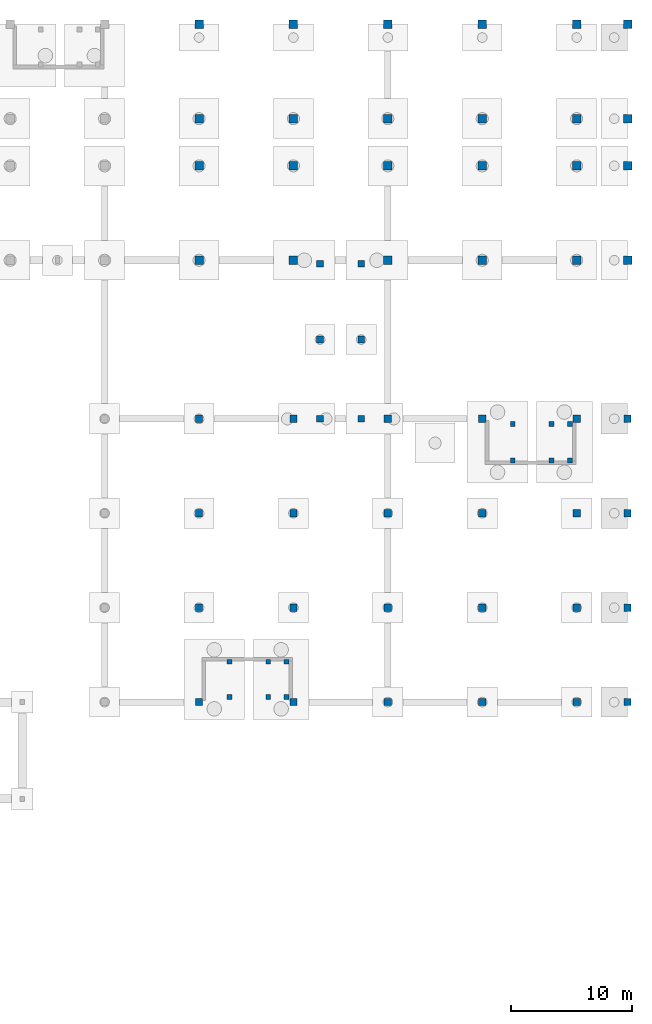
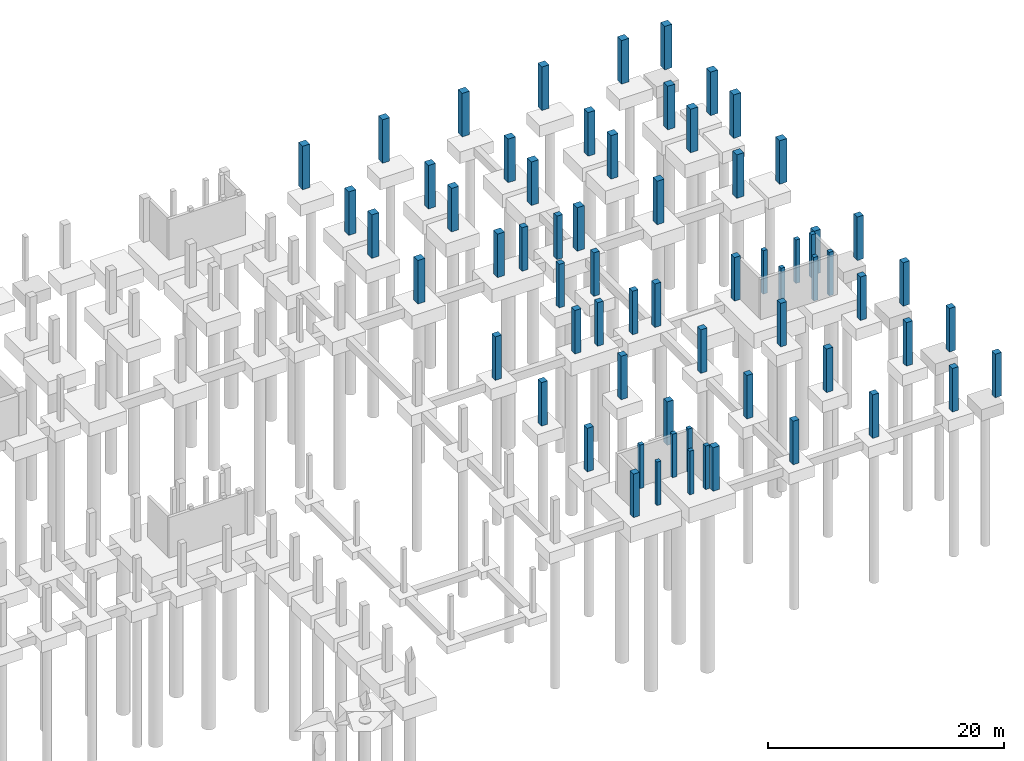
# One storey, part 8 of 24: 66 columns.
"""IFC4 building model written with IfcOpenShell, lengths in metres."""

from ifc_helpers import new_model, si_unit, direction, frame, origin, origin_2d, place, context, subcontext, project, spatial, rectangle, extrude, material, material_profile, profile_set, type_object, element, save


model = new_model("IFC4")

# Units and contexts
model_context = context("Model", 3, precision=1e-05, world=origin(), true_north=direction((0.0, 1.0)))
body_context = subcontext(model_context, "Body", "Model", "MODEL_VIEW")
ifc_project = project(units=[si_unit("LENGTHUNIT", "METRE"), si_unit("AREAUNIT", "SQUARE_METRE"), si_unit("VOLUMEUNIT", "CUBIC_METRE"), si_unit("PLANEANGLEUNIT", "RADIAN"), si_unit("MASSUNIT", "GRAM", prefix="KILO")], contexts=[model_context])

# Site, building, storey
site_placement = place(None, origin())
site = spatial("IfcSite", under=ifc_project, at=site_placement, CompositionType="ELEMENT")
building_placement = place(site_placement, origin())
building = spatial("IfcBuilding", under=site, at=building_placement, Name="Celorna Specialist Clinic", CompositionType="ELEMENT")
storey_placement = place(building_placement, frame((0.0, 0.0, -4.5)))
storey = spatial("IfcBuildingStorey", under=building, at=storey_placement, Name="B01", CompositionType="ELEMENT", Elevation=-4.5)

# Columns
ifc_material_1 = material(Name="Concrete C40/50", Category="concrete")
ifc_material_profile_1 = material_profile(ifc_material_1, rectangle(XDim=0.699951171875, YDim=0.699951171875, at=origin_2d()), Name="RC 700x700")
ifc_profile_set_1 = profile_set([ifc_material_profile_1], Name="Concrete C40/50")
column_type_1 = type_object("IfcColumnType", Name="CT-02", PredefinedType="COLUMN", material=ifc_profile_set_1)
for number, where, z_axis, x_axis, name in (
    (1, (132.60009765625, 96.5, 0.0), (0.0, 0.0, 1.0), (1.0, 0.0, 0.0), "Column CT-02 B01 X18/YR"),
    (2, (132.60009765625, 104.300048828125, 0.0), (0.0, 0.0, 1.0), (1.0, 0.0, 0.0), "Column CT-02 B01 X18/YS"),
    (3, (132.60009765625, 108.199951171875, 0.0), (0.0, 0.0, 1.0), (1.0, 0.0, 0.0), "Column CT-02 B01 X18/YT"),
    (4, (132.60009765625, 116.0, 0.0), (0.0, 0.0, 1.0), (1.0, 0.0, 0.0), "Column CT-02 B01 X18/YU"),
    (5, (140.39990234375, 96.5, 0.0), (0.0, 0.0, 1.0), (1.0, 0.0, 0.0), "Column CT-02 B01 X19/YR"),
    (6, (140.39990234375, 104.300048828125, 0.0), (0.0, 0.0, 1.0), (1.0, 0.0, 0.0), "Column CT-02 B01 X19/YS"),
    (7, (140.39990234375, 108.199951171875, 0.0), (0.0, 0.0, 1.0), (1.0, 0.0, 0.0), "Column CT-02 B01 X19/YT"),
    (8, (140.39990234375, 116.0, 0.0), (0.0, 0.0, 1.0), (1.0, 0.0, 0.0), "Column CT-02 B01 X19/YU"),
    (9, (148.199951171875, 96.5, 0.0), (0.0, 0.0, 1.0), (1.0, 0.0, 0.0), "Column CT-02 B01 X20/YR"),
    (10, (148.199951171875, 104.300048828125, 0.0), (0.0, 0.0, 1.0), (1.0, 0.0, 0.0), "Column CT-02 B01 X20/YS"),
    (11, (148.199951171875, 108.199951171875, 0.0), (0.0, 0.0, 1.0), (1.0, 0.0, 0.0), "Column CT-02 B01 X20/YT"),
    (12, (148.199951171875, 116.0, 0.0), (0.0, 0.0, 1.0), (1.0, 0.0, 0.0), "Column CT-02 B01 X20/YU"),
    (13, (156.0, 96.5, 0.0), (0.0, 0.0, 1.0), (1.0, 0.0, 0.0), "Column CT-02 B01 X21/YR"),
    (14, (156.0, 104.300048828125, 0.0), (0.0, 0.0, 1.0), (1.0, 0.0, 0.0), "Column CT-02 B01 X21/YS"),
    (15, (156.0, 108.199951171875, 0.0), (0.0, 0.0, 1.0), (1.0, 0.0, 0.0), "Column CT-02 B01 X21/YT"),
    (16, (156.0, 116.0, 0.0), (0.0, 0.0, 1.0), (1.0, 0.0, 0.0), "Column CT-02 B01 X21/YU"),
    (17, (163.800048828125, 96.5, 0.0), (0.0, 0.0, 1.0), (1.0, 0.0, 0.0), "Column CT-02 B01 X22/YR"),
    (18, (163.800048828125, 104.300048828125, 0.0), (0.0, 0.0, 1.0), (1.0, 0.0, 0.0), "Column CT-02 B01 X22/YS"),
    (19, (163.800048828125, 108.199951171875, 0.0), (0.0, 0.0, 1.0), (1.0, 0.0, 0.0), "Column CT-02 B01 X22/YT"),
    (20, (163.800048828125, 116.0, 0.0), (0.0, 0.0, 1.0), (1.0, 0.0, 0.0), "Column CT-02 B01 X22/YU"),
    (21, (168.0, 96.5, 0.0), (0.0, 0.0, 1.0), (1.0, 0.0, 0.0), "Column CT-02 B01 X23/YR"),
    (22, (168.0, 104.300048828125, 0.0), (0.0, 0.0, 1.0), (1.0, 0.0, 0.0), "Column CT-02 B01 X23/YS"),
    (23, (168.0, 108.199951171875, 0.0), (0.0, 0.0, 1.0), (1.0, 0.0, 0.0), "Column CT-02 B01 X23/YT"),
    (24, (168.0, 116.0, 0.0), (0.0, 0.0, 1.0), (1.0, 0.0, 0.0), "Column CT-02 B01 X23/YU"),
):
    element("IfcColumn", number, at=place(storey_placement, frame(where, z_axis=z_axis, x_axis=x_axis)), inside=storey, type_object=column_type_1, Name=name, PredefinedType="COLUMN", context=body_context, shape_type="SweptSolid", body=[
        extrude(rectangle(XDim=0.699951171875, YDim=0.699951171875, at=origin_2d()), origin(), (0.0, 0.0, 1.0), 4.5),
    ])
ifc_material_profile_2 = material_profile(ifc_material_1, rectangle(XDim=0.60009765625, YDim=0.60009765625, at=origin_2d()), Name="RC 600x600")
ifc_profile_set_2 = profile_set([ifc_material_profile_2], Name="Concrete C40/50")
column_type_2 = type_object("IfcColumnType", Name="CT-04", PredefinedType="COLUMN", material=ifc_profile_set_2)
for number, where, z_axis, x_axis, name in (
    (25, (132.60009765625, 60.0, 0.0), (0.0, 0.0, 1.0), (1.0, 0.0, 0.0), "Column CT-04 B01 X18/YL"),
    (26, (132.60009765625, 67.800048828125, 0.0), (0.0, 0.0, 1.0), (1.0, 0.0, 0.0), "Column CT-04 B01 X18/YN"),
    (27, (132.60009765625, 75.60009765625, 0.0), (0.0, 0.0, 1.0), (1.0, 0.0, 0.0), "Column CT-04 B01 X18/YP"),
    (28, (132.60009765625, 83.39990234375, 0.0), (0.0, 0.0, 1.0), (1.0, 0.0, 0.0), "Column CT-04 B01 X18/YQ"),
    (29, (140.39990234375, 60.0, 0.0), (0.0, 0.0, 1.0), (1.0, 0.0, 0.0), "Column CT-04 B01 X19/YL"),
    (30, (140.39990234375, 67.800048828125, 0.0), (0.0, 0.0, 1.0), (1.0, 0.0, 0.0), "Column CT-04 B01 X19/YN"),
    (31, (140.39990234375, 75.60009765625, 0.0), (0.0, 0.0, 1.0), (1.0, 0.0, 0.0), "Column CT-04 B01 X19/YP"),
    (32, (140.39990234375, 83.39990234375, 0.0), (0.0, 0.0, 1.0), (1.0, 0.0, 0.0), "Column CT-04 B01 X19/YQ"),
    (33, (148.199951171875, 60.0, 0.0), (0.0, 0.0, 1.0), (1.0, 0.0, 0.0), "Column CT-04 B01 X20/YL"),
    (34, (148.199951171875, 67.800048828125, 0.0), (0.0, 0.0, 1.0), (1.0, 0.0, 0.0), "Column CT-04 B01 X20/YN"),
    (35, (148.199951171875, 75.60009765625, 0.0), (0.0, 0.0, 1.0), (1.0, 0.0, 0.0), "Column CT-04 B01 X20/YP"),
    (36, (148.199951171875, 83.39990234375, 0.0), (0.0, 0.0, 1.0), (1.0, 0.0, 0.0), "Column CT-04 B01 X20/YQ"),
    (37, (156.0, 60.0, 0.0), (0.0, 0.0, 1.0), (1.0, 0.0, 0.0), "Column CT-04 B01 X21/YL"),
    (38, (156.0, 67.800048828125, 0.0), (0.0, 0.0, 1.0), (1.0, 0.0, 0.0), "Column CT-04 B01 X21/YN"),
    (39, (156.0, 75.60009765625, 0.0), (0.0, 0.0, 1.0), (1.0, 0.0, 0.0), "Column CT-04 B01 X21/YP"),
    (40, (156.0, 83.39990234375, 0.0), (0.0, 0.0, 1.0), (1.0, 0.0, 0.0), "Column CT-04 B01 X21/YQ"),
    (41, (163.800048828125, 60.0, 0.0), (0.0, 0.0, 1.0), (1.0, 0.0, 0.0), "Column CT-04 B01 X22/YL"),
    (42, (163.800048828125, 67.800048828125, 0.0), (0.0, 0.0, 1.0), (1.0, 0.0, 0.0), "Column CT-04 B01 X22/YN"),
    (43, (163.800048828125, 75.60009765625, 0.0), (0.0, 0.0, 1.0), (1.0, 0.0, 0.0), "Column CT-04 B01 X22/YP"),
    (44, (163.800048828125, 83.39990234375, 0.0), (0.0, 0.0, 1.0), (1.0, 0.0, 0.0), "Column CT-04 B01 X22/YQ"),
    (45, (168.0, 60.0, 0.0), (0.0, 0.0, 1.0), (1.0, 0.0, 0.0), "Column CT-04 B01 X23/YL"),
    (46, (168.0, 67.800048828125, 0.0), (0.0, 0.0, 1.0), (1.0, 0.0, 0.0), "Column CT-04 B01 X23/YN"),
    (47, (168.0, 75.60009765625, 0.0), (0.0, 0.0, 1.0), (1.0, 0.0, 0.0), "Column CT-04 B01 X23/YP"),
    (48, (168.0, 83.39990234375, 0.0), (0.0, 0.0, 1.0), (1.0, 0.0, 0.0), "Column CT-04 B01 X23/YQ"),
):
    element("IfcColumn", number, at=place(storey_placement, frame(where, z_axis=z_axis, x_axis=x_axis)), inside=storey, type_object=column_type_2, Name=name, PredefinedType="COLUMN", context=body_context, shape_type="SweptSolid", body=[
        extrude(rectangle(XDim=0.60009765625, YDim=0.60009765625, at=origin_2d()), origin(), (0.0, 0.0, 1.0), 4.5),
    ])
ifc_material_2 = material(Name="Concrete C35/45", Category="concrete")
ifc_material_profile_3 = material_profile(ifc_material_2, rectangle(XDim=0.550048828125, YDim=0.550048828125, at=origin_2d()), Name="RC 550x550")
ifc_profile_set_3 = profile_set([ifc_material_profile_3], Name="Concrete C35/45")
column_type_3 = type_object("IfcColumnType", Name="CT-05", PredefinedType="COLUMN", material=ifc_profile_set_3)
for number, where, z_axis, x_axis, name in (
    (49, (142.60009765625, 83.39990234375, 0.0), (0.0, 0.0, 1.0), (1.0, 0.0, 0.0), "Column CT-05 B01 X19/YQ"),
    (50, (146.0, 83.39990234375, 0.0), (0.0, 0.0, 1.0), (1.0, 0.0, 0.0), "Column CT-05 B01 X20/YQ"),
    (51, (142.60009765625, 89.949951171875, 0.0), (0.0, 0.0, 1.0), (1.0, 0.0, 0.0), "Column CT-05 B01 X19/YQ"),
    (52, (146.0, 89.949951171875, 0.0), (0.0, 0.0, 1.0), (1.0, 0.0, 0.0), "Column CT-05 B01 X20/YQ"),
    (53, (142.60009765625, 96.199951171875, 0.0), (0.0, 0.0, 1.0), (1.0, 0.0, 0.0), "Column CT-05 B01 X19/YR"),
    (54, (146.0, 96.199951171875, 0.0), (0.0, 0.0, 1.0), (1.0, 0.0, 0.0), "Column CT-05 B01 X20/YR"),
):
    element("IfcColumn", number, at=place(storey_placement, frame(where, z_axis=z_axis, x_axis=x_axis)), inside=storey, type_object=column_type_3, Name=name, PredefinedType="COLUMN", context=body_context, shape_type="SweptSolid", body=[
        extrude(rectangle(XDim=0.550048828125, YDim=0.550048828125, at=origin_2d()), origin(), (0.0, 0.0, 1.0), 4.5),
    ])
ifc_material_profile_4 = material_profile(ifc_material_2, rectangle(XDim=0.39990234375, YDim=0.39990234375, at=origin_2d()), Name="RC 400x400")
ifc_profile_set_4 = profile_set([ifc_material_profile_4], Name="Concrete C35/45")
column_type_4 = type_object("IfcColumnType", Name="CT-08", PredefinedType="COLUMN", material=ifc_profile_set_4)
for number, where, z_axis, x_axis, name in (
    (55, (158.52001953125, 79.969970703125, 0.0), (0.0, 0.0, 1.0), (1.0, 0.0, 0.0), "Stair ST-12 landing column CT-08 B01 X21/YP"),
    (56, (158.52001953125, 82.969970703125, 0.0), (0.0, 0.0, 1.0), (1.0, 0.0, 0.0), "Stair ST-12 landing column CT-08 B01 X21/YQ"),
    (57, (161.719970703125, 79.969970703125, 0.0), (0.0, 0.0, 1.0), (1.0, 0.0, 0.0), "Stair ST-12 landing column CT-08 B01 X22/YP"),
    (58, (161.719970703125, 82.969970703125, 0.0), (0.0, 0.0, 1.0), (1.0, 0.0, 0.0), "Stair ST-12 landing column CT-08 B01 X22/YQ"),
    (59, (163.239990234375, 79.969970703125, 0.0), (0.0, 0.0, 1.0), (1.0, 0.0, 0.0), "Stair ST-12 landing column CT-08 B01 X22/YP"),
    (60, (163.239990234375, 82.969970703125, 0.0), (0.0, 0.0, 1.0), (1.0, 0.0, 0.0), "Stair ST-12 landing column CT-08 B01 X22/YQ"),
    (61, (135.1201171875, 60.429931640625, 0.0), (0.0, 0.0, 1.0), (1.0, 0.0, 0.0), "Stair ST-13 landing column CT-08 B01 X18/YL"),
    (62, (135.1201171875, 63.330078125, 0.0), (0.0, 0.0, 1.0), (1.0, 0.0, 0.0), "Stair ST-13 landing column CT-08 B01 X18/YM"),
    (63, (138.320068359375, 60.429931640625, 0.0), (0.0, 0.0, 1.0), (1.0, 0.0, 0.0), "Stair ST-13 landing column CT-08 B01 X19/YL"),
    (64, (138.320068359375, 63.330078125, 0.0), (0.0, 0.0, 1.0), (1.0, 0.0, 0.0), "Stair ST-13 landing column CT-08 B01 X19/YM"),
    (65, (139.840087890625, 60.429931640625, 0.0), (0.0, 0.0, 1.0), (1.0, 0.0, 0.0), "Stair ST-13 landing column CT-08 B01 X19/YL"),
    (66, (139.840087890625, 63.330078125, 0.0), (0.0, 0.0, 1.0), (1.0, 0.0, 0.0), "Stair ST-13 landing column CT-08 B01 X19/YM"),
):
    element("IfcColumn", number, at=place(storey_placement, frame(where, z_axis=z_axis, x_axis=x_axis)), inside=storey, type_object=column_type_4, Name=name, PredefinedType="COLUMN", context=body_context, shape_type="SweptSolid", body=[
        extrude(rectangle(XDim=0.39990234375, YDim=0.39990234375, at=origin_2d()), origin(), (0.0, 0.0, 1.0), 4.5),
    ])

save(model, "model.ifc")
